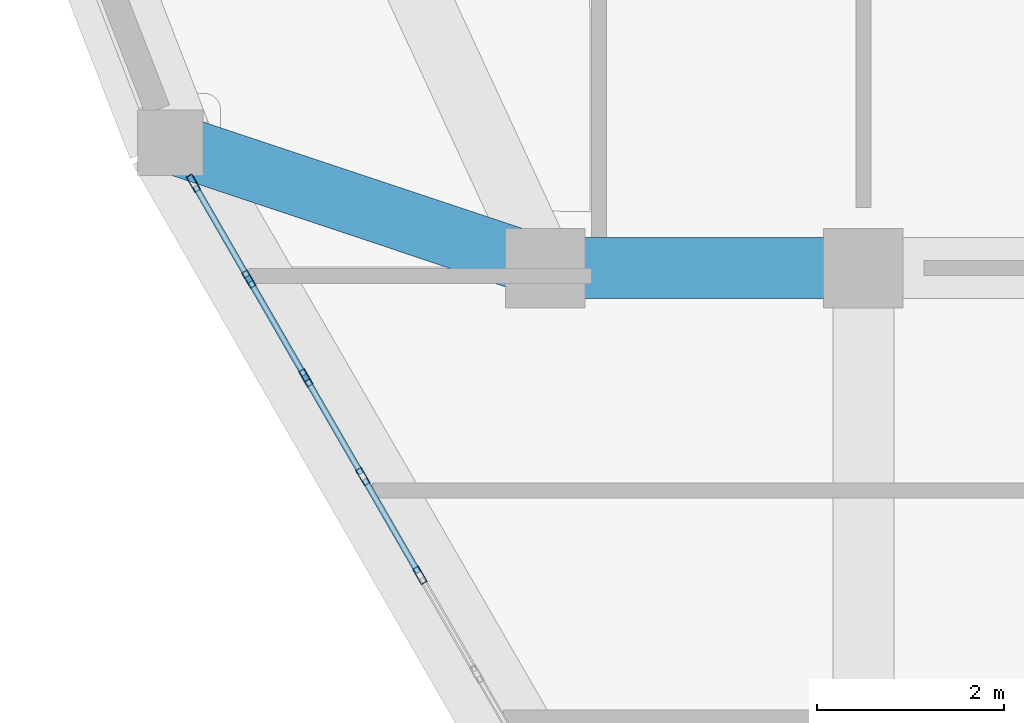
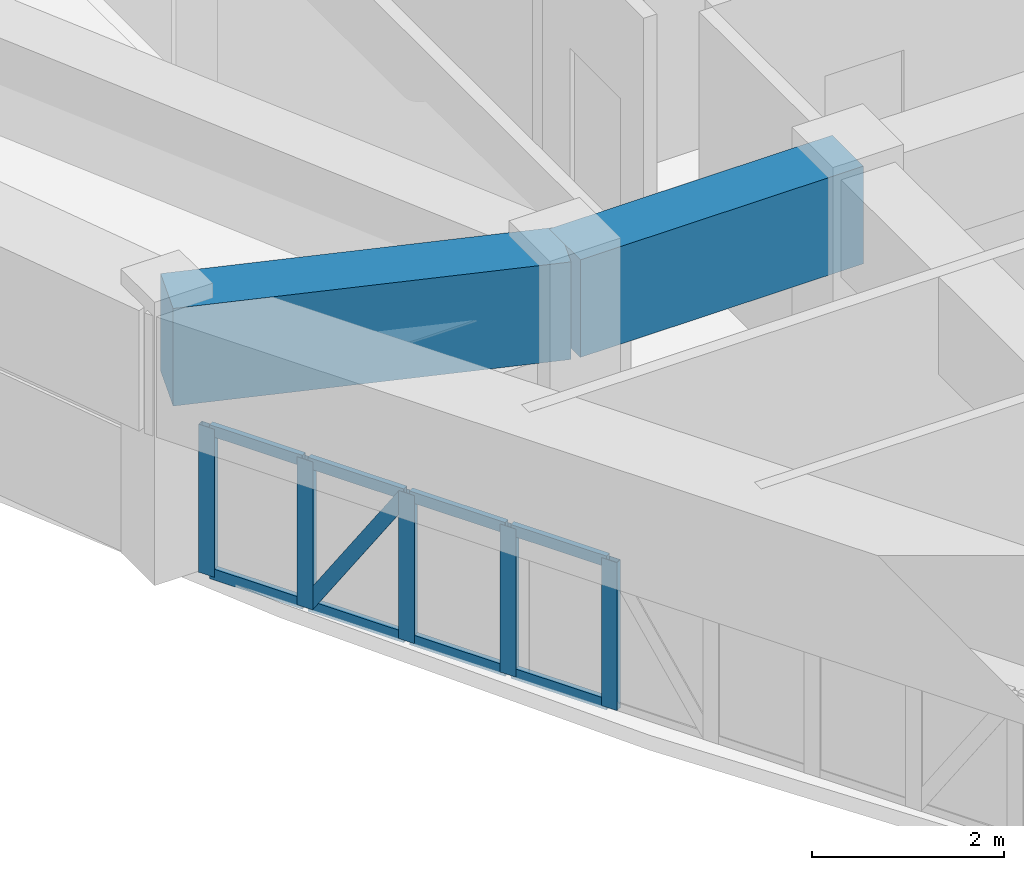
# One storey, part 5 of 14: 14 members, 2 beams, 1 element without a shape of its own.
"""IFC4 building model written with IfcOpenShell, lengths in metres."""

import ifcopenshell
import ifcopenshell.guid

model = None  # the IFC model being written
_history = None  # IfcOwnerHistory: only IFC2X3 demands one
_inside = {}  # id of a spatial element -> (the spatial element, [elements in it])
_under = {}  # id of a project, library or spatial element -> (it, [spatial elements below it])
_declared = {}  # id of a project -> (the project, [libraries it declares])
_typed = {}  # id of a type object -> (the type object, [elements of that type])
_made_of = {}  # id of a material, layer set ... -> (it, [elements and type objects made of it])


def new_model(schema):
    """Start an empty IFC model of exactly this schema.

    Asked for "IFC4X3", IfcOpenShell would pick the latest addendum, in which some entities
    have other attributes; the version numbers below select the first issue.
    IFC2X3 requires an IfcOwnerHistory on every rooted entity: one is made here for all.
    """
    global model, _history
    if schema == "IFC4X3":
        model = ifcopenshell.file(schema_version=(4, 3, 0, 0))
    else:
        model = ifcopenshell.file(schema=schema)
    _inside.clear()
    _under.clear()
    _declared.clear()
    _typed.clear()
    _made_of.clear()
    _history = None
    if model.schema == "IFC2X3":
        org = make("IfcOrganization", Name="unknown")
        user = make(
            "IfcPersonAndOrganization",
            ThePerson=make("IfcPerson", FamilyName="unknown"),
            TheOrganization=org,
        )
        app = make(
            "IfcApplication",
            ApplicationDeveloper=org,
            Version="unknown",
            ApplicationFullName="unknown",
            ApplicationIdentifier="unknown",
        )
        _history = make(
            "IfcOwnerHistory",
            OwningUser=user,
            OwningApplication=app,
            ChangeAction="ADDED",
            CreationDate=0,
        )
    return model


def make(cls, **values):
    """One entity of the class cls with the attributes given. An attribute that is None is left unset."""
    return model.create_entity(
        cls, **{name: value for name, value in values.items() if value is not None}
    )


def rooted(cls, **values):
    """An entity with a GlobalId (a new one), such as an element, a storey or a relation."""
    return make(cls, GlobalId=ifcopenshell.guid.new(), OwnerHistory=_history, **values)


def si_unit(unit_type, name, prefix=None):
    """IfcSIUnit, for example si_unit("LENGTHUNIT", "METRE", prefix="MILLI")."""
    return make("IfcSIUnit", UnitType=unit_type, Prefix=prefix, Name=name)


def derived_unit(unit_type, elements):
    """IfcDerivedUnit: a product of units, each with its exponent."""
    return make(
        "IfcDerivedUnit",
        Elements=[
            make("IfcDerivedUnitElement", Unit=unit, Exponent=power)
            for unit, power in elements
        ],
        UnitType=unit_type,
    )


def assignment(units):
    """IfcUnitAssignment: the units of a project."""
    return None if units is None else make("IfcUnitAssignment", Units=units)


def point(xyz):
    """IfcCartesianPoint."""
    return None if xyz is None else make("IfcCartesianPoint", Coordinates=xyz)


def direction(xyz):
    """IfcDirection."""
    return None if xyz is None else make("IfcDirection", DirectionRatios=xyz)


def frame(location, z_axis=None, x_axis=None):
    """IfcAxis2Placement3D, a coordinate frame: its origin and axes. An axis left out is left unset."""
    return make(
        "IfcAxis2Placement3D",
        Location=point(location),
        Axis=direction(z_axis),
        RefDirection=direction(x_axis),
    )


def frame_2d(location, x_axis=None):
    """IfcAxis2Placement2D, a coordinate frame in the plane: its origin and x axis."""
    return make(
        "IfcAxis2Placement2D", Location=point(location), RefDirection=direction(x_axis)
    )


def origin():
    """The frame at (0, 0, 0) with its axes left unset."""
    return frame((0.0, 0.0, 0.0))


def origin_2d():
    """The frame at (0, 0) in the plane with its x axis left unset."""
    return frame_2d((0.0, 0.0))


def place(relative_to, where):
    """IfcLocalPlacement: puts the frame where relative to a parent placement (None: the world)."""
    return make(
        "IfcLocalPlacement", PlacementRelTo=relative_to, RelativePlacement=where
    )


def context(
    kind, dimensions, precision=None, world=None, true_north=None, identifier=None
):
    """IfcGeometricRepresentationContext, for example the 3D "Model" context."""
    return make(
        "IfcGeometricRepresentationContext",
        ContextIdentifier=identifier,
        ContextType=kind,
        CoordinateSpaceDimension=dimensions,
        Precision=precision,
        WorldCoordinateSystem=world,
        TrueNorth=true_north,
    )


def subcontext(parent, identifier, kind, view, scale=None):
    """IfcGeometricRepresentationSubContext, for example "Body" below "Model"."""
    return make(
        "IfcGeometricRepresentationSubContext",
        ContextIdentifier=identifier,
        ContextType=kind,
        ParentContext=parent,
        TargetScale=scale,
        TargetView=view,
    )


def project(units=None, contexts=None):
    """IfcProject with its units and contexts."""
    return rooted(
        "IfcProject",
        Name="project",
        RepresentationContexts=contexts,
        UnitsInContext=assignment(units),
    )


def spatial(cls, under=None, at=None, **own):
    """A site, building, storey or space (cls), placed at a placement, below another one or the project."""
    s = rooted(cls, ObjectPlacement=at, **own)
    if under is not None:
        _under.setdefault(under.id(), (under, []))[1].append(s)
    return s


def profile(cls, at=None, kind="AREA", **sizes):
    """A parametric profile (cls). Its sizes go by their IFC names, for example OverallWidth=200.0."""
    return make(cls, ProfileType=kind, Position=at, **sizes)


def rectangle(**sizes):
    """IfcRectangleProfileDef."""
    return profile("IfcRectangleProfileDef", **sizes)


def hollow_rectangle(**sizes):
    """IfcRectangleHollowProfileDef."""
    return profile("IfcRectangleHollowProfileDef", **sizes)


def extrude(swept, where, along, depth):
    """IfcExtrudedAreaSolid: the profile swept, set in the frame where, extruded along a direction by depth."""
    return make(
        "IfcExtrudedAreaSolid",
        SweptArea=swept,
        Position=where,
        ExtrudedDirection=direction(along),
        Depth=depth,
    )


def shape(context_of_items, identifier, shape_type, items):
    """IfcShapeRepresentation: the items that make up one representation, for example the "Body"."""
    return make(
        "IfcShapeRepresentation",
        ContextOfItems=context_of_items,
        RepresentationIdentifier=identifier,
        RepresentationType=shape_type,
        Items=items,
    )


def source(mapping_origin, context_of_items, identifier, shape_type, items):
    """IfcRepresentationMap: a shape defined once, which mapped items show again and again."""
    return make(
        "IfcRepresentationMap",
        MappingOrigin=mapping_origin,
        MappedRepresentation=shape(context_of_items, identifier, shape_type, items),
    )


def transform(
    local_origin,
    x_axis=None,
    y_axis=None,
    z_axis=None,
    scale=None,
    scale2=None,
    scale3=None,
    uniform=True,
):
    """IfcCartesianTransformationOperator3D, or its non-uniform kind. x_axis, y_axis, z_axis: its Axis1, 2, 3."""
    if uniform:
        return make(
            "IfcCartesianTransformationOperator3D",
            Axis1=direction(x_axis),
            Axis2=direction(y_axis),
            LocalOrigin=point(local_origin),
            Scale=scale,
            Axis3=direction(z_axis),
        )
    return make(
        "IfcCartesianTransformationOperator3DnonUniform",
        Axis1=direction(x_axis),
        Axis2=direction(y_axis),
        LocalOrigin=point(local_origin),
        Scale=scale,
        Axis3=direction(z_axis),
        Scale2=scale2,
        Scale3=scale3,
    )


def mapped(mapping_source, mapping_target):
    """IfcMappedItem: shows the shape of a source again, moved by a transform."""
    return make(
        "IfcMappedItem", MappingSource=mapping_source, MappingTarget=mapping_target
    )


def material(Name=None, Category=None):
    """IfcMaterial."""
    return make("IfcMaterial", Name=Name, Category=Category)


def layer(
    of_material, thickness, ventilated=None, Name=None, Category=None, Priority=None
):
    """IfcMaterialLayer: one layer of a wall or slab, of a material (None: an air gap)."""
    return make(
        "IfcMaterialLayer",
        Material=of_material,
        LayerThickness=thickness,
        IsVentilated=ventilated,
        Name=Name,
        Category=Category,
        Priority=Priority,
    )


def layer_set(layers, Name=None):
    """IfcMaterialLayerSet."""
    return make("IfcMaterialLayerSet", MaterialLayers=layers, LayerSetName=Name)


def material_profile(
    of_material, cross_section, Name=None, Category=None, Priority=None
):
    """IfcMaterialProfile: a cross section and its material."""
    return make(
        "IfcMaterialProfile",
        Name=Name,
        Material=of_material,
        Profile=cross_section,
        Priority=Priority,
        Category=Category,
    )


def profile_set(profiles, Name=None, composite=None):
    """IfcMaterialProfileSet."""
    return make(
        "IfcMaterialProfileSet",
        Name=Name,
        MaterialProfiles=profiles,
        CompositeProfile=composite,
    )


def made_of(thing, what):
    """Note that an element or type object is made of a material, layer set ...; save() writes the relation."""
    if what is not None:
        _made_of.setdefault(what.id(), (what, []))[1].append(thing)
    return thing


def type_object(cls, material=None, **own):
    """A type object (cls), such as IfcWallType, which elements share."""
    return made_of(rooted(cls, **own), material)


def element(
    cls,
    number,
    at=None,
    inside=None,
    cuts=None,
    type_object=None,
    material=None,
    context=None,
    identifier="Body",
    shape_type=None,
    held_by="IfcProductDefinitionShape",
    body=None,
    shapes=None,
    **own,
):
    """One element of the class cls, such as IfcWall. Its Tag is "e" and its number.

    at: its placement. inside: the storey or other place that contains it. cuts: it is an
    opening in that element (IfcRelVoidsElement). A single representation is given by context,
    identifier, shape_type and body (its items); several are given by shapes. held_by: the class
    of the entity that holds the representations. save() writes the other relations.
    """
    e = rooted(cls, Tag="e%d" % number, ObjectPlacement=at, **own)
    if body is not None:
        shapes = [shape(context, identifier, shape_type, body)]
    if shapes is not None:
        e.Representation = make(held_by, Representations=shapes)
    if inside is not None:
        _inside.setdefault(inside.id(), (inside, []))[1].append(e)
    if cuts is not None:
        rooted(
            "IfcRelVoidsElement", RelatingBuildingElement=cuts, RelatedOpeningElement=e
        )
    if type_object is not None:
        _typed.setdefault(type_object.id(), (type_object, []))[1].append(e)
    return made_of(e, material)


def aggregate(whole, parts):
    """IfcRelAggregates: a whole, such as a stair, and the parts it consists of."""
    return rooted("IfcRelAggregates", RelatingObject=whole, RelatedObjects=parts)


def save(model, path):
    """Write the relations noted so far, then the file.

    IfcRelAggregates (storeys below a building ...), IfcRelContainedInSpatialStructure (elements
    in a storey), IfcRelDefinesByType, IfcRelAssociatesMaterial and IfcRelDeclares: one each for
    every whole, place, type object, material and project.
    """
    for whole, parts in _under.values():
        aggregate(whole, parts)
    for where, things in _inside.values():
        rooted(
            "IfcRelContainedInSpatialStructure",
            RelatedElements=things,
            RelatingStructure=where,
        )
    for kind, things in _typed.values():
        rooted("IfcRelDefinesByType", RelatedObjects=things, RelatingType=kind)
    for what, things in _made_of.values():
        rooted("IfcRelAssociatesMaterial", RelatedObjects=things, RelatingMaterial=what)
    for by, libraries in _declared.values():
        rooted("IfcRelDeclares", RelatingContext=by, RelatedDefinitions=libraries)
    model.write(path)


model = new_model("IFC4")

# Units and contexts
model_context = context("Model", 3, precision=1e-05, world=origin(), true_north=direction((0.0, 1.0)))
body_context = subcontext(model_context, "Body", "Model", "MODEL_VIEW")
ifc_project = project(units=[si_unit("LENGTHUNIT", "METRE"), si_unit("AREAUNIT", "SQUARE_METRE"), si_unit("VOLUMEUNIT", "CUBIC_METRE"), si_unit("PLANEANGLEUNIT", "RADIAN"), si_unit("MASSUNIT", "GRAM", prefix="KILO"), derived_unit("THERMALTRANSMITTANCEUNIT", [(si_unit("POWERUNIT", "WATT"), 1), (si_unit("LENGTHUNIT", "METRE"), -2), (si_unit("THERMODYNAMICTEMPERATUREUNIT", "KELVIN"), -1)])], contexts=[model_context])

# Site, building, storey
site_placement = place(None, origin())
site = spatial("IfcSite", under=ifc_project, at=site_placement, CompositionType="ELEMENT")
building_placement = place(site_placement, origin())
building = spatial("IfcBuilding", under=site, at=building_placement, Name="Korsvarv Bourse and Concert Hall", CompositionType="ELEMENT")
storey_placement = place(building_placement, frame((0.0, 0.0, 257.39990234375)))
storey = spatial("IfcBuildingStorey", under=building, at=storey_placement, Name="L67", CompositionType="ELEMENT", Elevation=257.39990234375)

# Beams
ifc_material_1 = material(Name="Concrete C50/60", Category="concrete")
ifc_material_profile_1 = material_profile(ifc_material_1, rectangle(XDim=0.64990234375, YDim=1.239990234375, at=origin_2d()), Name="RC-BM 650x1240")
ifc_profile_set_1 = profile_set([ifc_material_profile_1], Name="Concrete C50/60")
beam_type = type_object("IfcBeamType", Name="BM-TR-SPN", PredefinedType="BEAM", material=ifc_profile_set_1)
shared_shape_1 = source(origin(), body_context, "Body", "SweptSolid", [
    extrude(rectangle(XDim=0.64990234375, YDim=1.239990234375, at=origin_2d()), origin(), (0.0, 0.0, 1.0), 3.400146484375),
])
beam_1_placement = place(storey_placement, frame((24.199951171875, 32.39990234375, 2.7900390625), z_axis=(1.0, 0.0, 0.0), x_axis=(0.0, 1.0, 0.0)))
element("IfcBeam", 1, at=beam_1_placement, inside=storey, type_object=beam_type, Name="L67 beam B-TRS", PredefinedType="BEAM", context=body_context, shape_type="MappedRepresentation", body=[
    mapped(shared_shape_1, transform((0.0, 0.0, 0.0), scale=1.0)),
])
shared_shape_2 = source(origin(), body_context, "Body", "SweptSolid", [
    extrude(rectangle(XDim=0.64990234375, YDim=1.239990234375, at=origin_2d()), origin(), (0.0, 0.0, 1.0), 4.22705078125),
])
beam_2_placement = place(storey_placement, frame((20.190185546875, 33.73779296875, 2.7900390625), z_axis=(0.948590847329, -0.316504983157, 0.0), x_axis=(0.316504983157, 0.948590847329, 0.0)))
element("IfcBeam", 2, at=beam_2_placement, inside=storey, type_object=beam_type, Name="L67 beam B-TRS", PredefinedType="BEAM", context=body_context, shape_type="MappedRepresentation", body=[
    mapped(shared_shape_2, transform((0.0, 0.0, 0.0), scale=1.0)),
])

# Curtain wall, members
ifc_material_2 = material(Name="Anodised aluminium and triple low-E glazing", Category="glass")
ifc_layer = layer(ifc_material_2, 0.199951171875)
ifc_layer_set = layer_set([ifc_layer], Name="Anodised aluminium and triple low-E glazing")
curtain_wall_type = type_object("IfcCurtainWallType", Name="CW-SYS-3", PredefinedType="NOTDEFINED", material=ifc_layer_set)
curtain_wall_placement = place(storey_placement, origin())
curtain_wall = element("IfcCurtainWall", 3, at=curtain_wall_placement, inside=storey, type_object=curtain_wall_type, Name="L67 CW3 curtain wall CW-L67-F07", PredefinedType="NOTDEFINED")
ifc_material_3 = material(Name="Extruded aluminium EN AW-6063 T66", Category="aluminium")
ifc_material_profile_2 = material_profile(ifc_material_3, hollow_rectangle(XDim=0.06494140625, YDim=0.139892578125, WallThickness=0.00390625, at=origin_2d()), Name="ALU-T 65x140")
ifc_profile_set_2 = profile_set([ifc_material_profile_2], Name="Extruded aluminium EN AW-6063 T66")
member_type_1 = type_object("IfcMemberType", Name="CWT-140", PredefinedType="USERDEFINED", material=ifc_profile_set_2)
shared_shape_3 = source(origin(), body_context, "Body", "SweptSolid", [
    extrude(hollow_rectangle(XDim=0.06494140625, YDim=0.139892578125, WallThickness=0.00390625, at=origin_2d()), origin(), (0.0, 0.0, 1.0), 1.113525390625),
])
member_1_placement = place(storey_placement, frame((20.456298828125, 33.277099609375, 0.03271484375), z_axis=(0.499912255713, -0.866076057046, 0.0), x_axis=(0.866076057046, 0.499912255713, 0.0)))
member_1 = element("IfcMember", 4, at=member_1_placement, type_object=member_type_1, Name="CW3 transom 1.1", ObjectType="TRANSOM", PredefinedType="USERDEFINED", context=body_context, shape_type="MappedRepresentation", body=[
    mapped(shared_shape_3, transform((0.0, 0.0, 0.0), scale=1.0)),
])
member_2_placement = place(storey_placement, frame((20.456298828125, 33.277099609375, 1.84765625), z_axis=(0.499912255713, -0.866076057046, 0.0), x_axis=(0.866076057046, 0.499912255713, 0.0)))
member_2 = element("IfcMember", 5, at=member_2_placement, type_object=member_type_1, Name="CW3 transom 1.2", ObjectType="TRANSOM", PredefinedType="USERDEFINED", context=body_context, shape_type="MappedRepresentation", body=[
    mapped(shared_shape_3, transform((0.0, 0.0, 0.0), scale=1.0)),
])
shared_shape_4 = source(origin(), body_context, "Body", "SweptSolid", [
    extrude(hollow_rectangle(XDim=0.06494140625, YDim=0.139892578125, WallThickness=0.00390625, at=origin_2d()), origin(), (0.0, 0.0, 1.0), 1.148681640625),
])
member_3_placement = place(storey_placement, frame((21.048095703125, 32.252197265625, 0.03271484375), z_axis=(0.49988803956, -0.866090034526, 0.0), x_axis=(0.866090034526, 0.49988803956, 0.0)))
member_3 = element("IfcMember", 6, at=member_3_placement, type_object=member_type_1, Name="CW3 transom 2.1", ObjectType="TRANSOM", PredefinedType="USERDEFINED", context=body_context, shape_type="MappedRepresentation", body=[
    mapped(shared_shape_4, transform((0.0, 0.0, 0.0), scale=1.0)),
])
member_4_placement = place(storey_placement, frame((21.048095703125, 32.252197265625, 1.84765625), z_axis=(0.49988803956, -0.866090034526, 0.0), x_axis=(0.866090034526, 0.49988803956, 0.0)))
member_4 = element("IfcMember", 7, at=member_4_placement, type_object=member_type_1, Name="CW3 transom 2.2", ObjectType="TRANSOM", PredefinedType="USERDEFINED", context=body_context, shape_type="MappedRepresentation", body=[
    mapped(shared_shape_4, transform((0.0, 0.0, 0.0), scale=1.0)),
])
member_5_placement = place(storey_placement, frame((22.2666015625, 30.141357421875, 0.03271484375), z_axis=(0.500139482584, -0.865944858499, 0.0), x_axis=(0.865944858499, 0.500139482584, 0.0)))
member_5 = element("IfcMember", 8, at=member_5_placement, type_object=member_type_1, Name="CW3 transom 4.1", ObjectType="TRANSOM", PredefinedType="USERDEFINED", context=body_context, shape_type="MappedRepresentation", body=[
    mapped(shared_shape_4, transform((0.0, 0.0, 0.0), scale=1.0)),
])
member_6_placement = place(storey_placement, frame((22.2666015625, 30.141357421875, 1.84765625), z_axis=(0.500139482584, -0.865944858499, 0.0), x_axis=(0.865944858499, 0.500139482584, 0.0)))
member_6 = element("IfcMember", 9, at=member_6_placement, type_object=member_type_1, Name="CW3 transom 4.2", ObjectType="TRANSOM", PredefinedType="USERDEFINED", context=body_context, shape_type="MappedRepresentation", body=[
    mapped(shared_shape_4, transform((0.0, 0.0, 0.0), scale=1.0)),
])
ifc_material_profile_3 = material_profile(ifc_material_3, hollow_rectangle(XDim=0.070068359375, YDim=0.18994140625, WallThickness=0.0048828125, at=origin_2d()), Name="ALU-M 70x190")
ifc_profile_set_3 = profile_set([ifc_material_profile_3], Name="Extruded aluminium EN AW-6063 T66")
member_type_2 = type_object("IfcMemberType", Name="CWM-190", PredefinedType="MULLION", material=ifc_profile_set_3)
shared_shape_5 = source(origin(), body_context, "Body", "SweptSolid", [
    extrude(hollow_rectangle(XDim=0.070068359375, YDim=0.18994140625, WallThickness=0.0048828125, at=origin_2d()), origin(), (0.0, 0.0, 1.0), 1.880126953125),
])
member_7_placement = place(storey_placement, frame((20.438720703125, 33.307373046875, 0.0), z_axis=(0.0, 0.0, 1.0), x_axis=(0.866023274265, 0.500003688417, 0.0)))
member_7 = element("IfcMember", 10, at=member_7_placement, type_object=member_type_2, Name="CW3 mullion 1", PredefinedType="MULLION", context=body_context, shape_type="MappedRepresentation", body=[
    mapped(shared_shape_5, transform((0.0, 0.0, 0.0), scale=1.0)),
])
member_8_placement = place(storey_placement, frame((21.030517578125, 32.282470703125, 0.0), z_axis=(0.0, 0.0, 1.0), x_axis=(0.866023274265, 0.500003688417, 0.0)))
member_8 = element("IfcMember", 11, at=member_8_placement, type_object=member_type_2, Name="CW3 mullion 2", PredefinedType="MULLION", context=body_context, shape_type="MappedRepresentation", body=[
    mapped(shared_shape_5, transform((0.0, 0.0, 0.0), scale=1.0)),
])
member_9_placement = place(storey_placement, frame((21.639892578125, 31.22705078125, 0.0), z_axis=(0.0, 0.0, 1.0), x_axis=(0.866023274265, 0.500003688417, 0.0)))
member_9 = element("IfcMember", 12, at=member_9_placement, type_object=member_type_2, Name="CW3 mullion 3", PredefinedType="MULLION", context=body_context, shape_type="MappedRepresentation", body=[
    mapped(shared_shape_5, transform((0.0, 0.0, 0.0), scale=1.0)),
])
member_10_placement = place(storey_placement, frame((22.249267578125, 30.171630859375, 0.0), z_axis=(0.0, 0.0, 1.0), x_axis=(0.866023274265, 0.500003688417, 0.0)))
member_10 = element("IfcMember", 13, at=member_10_placement, type_object=member_type_2, Name="CW3 mullion 4", PredefinedType="MULLION", context=body_context, shape_type="MappedRepresentation", body=[
    mapped(shared_shape_5, transform((0.0, 0.0, 0.0), scale=1.0)),
])
member_11_placement = place(storey_placement, frame((22.8583984375, 29.116455078125, 0.0), z_axis=(0.0, 0.0, 1.0), x_axis=(0.866023274265, 0.500003688417, 0.0)))
member_11 = element("IfcMember", 14, at=member_11_placement, type_object=member_type_2, Name="CW3 mullion 5", PredefinedType="MULLION", context=body_context, shape_type="MappedRepresentation", body=[
    mapped(shared_shape_5, transform((0.0, 0.0, 0.0), scale=1.0)),
])
ifc_material_profile_4 = material_profile(ifc_material_3, hollow_rectangle(XDim=0.06494140625, YDim=0.1650390625, WallThickness=0.0048828125, at=origin_2d()), Name="ALU-M 65x165")
ifc_profile_set_4 = profile_set([ifc_material_profile_4], Name="Extruded aluminium EN AW-6063 T66")
member_type_3 = type_object("IfcMemberType", Name="CWM-165", PredefinedType="MULLION", material=ifc_profile_set_4)
shared_shape_6 = source(origin(), body_context, "Body", "SweptSolid", [
    extrude(hollow_rectangle(XDim=0.06494140625, YDim=0.1650390625, WallThickness=0.0048828125, at=origin_2d()), origin(), (0.0, 0.0, 1.0), 2.09326171875),
])
member_12_placement = place(storey_placement, frame((21.048095703125, 32.252197265625, 0.065185546875), z_axis=(0.274309725161, -0.475260259367, 0.835991543348), x_axis=(0.866090034526, 0.49988803956, 0.0)))
member_12 = element("IfcMember", 15, at=member_12_placement, type_object=member_type_3, Name="CW3 diagonal mullion 2", PredefinedType="MULLION", context=body_context, shape_type="MappedRepresentation", body=[
    mapped(shared_shape_6, transform((0.0, 0.0, 0.0), scale=1.0)),
])
shared_shape_7 = source(origin(), body_context, "Body", "SweptSolid", [
    extrude(hollow_rectangle(XDim=0.06494140625, YDim=0.139892578125, WallThickness=0.00390625, at=origin_2d()), origin(), (0.0, 0.0, 1.0), 1.14892578125),
])
member_13_placement = place(storey_placement, frame((21.6572265625, 31.19677734375, 0.03271484375), z_axis=(0.50004744102, -0.865998011966, 0.0), x_axis=(0.865998011966, 0.50004744102, 0.0)))
member_13 = element("IfcMember", 16, at=member_13_placement, type_object=member_type_1, Name="CW3 transom 3.1", ObjectType="TRANSOM", PredefinedType="USERDEFINED", context=body_context, shape_type="MappedRepresentation", body=[
    mapped(shared_shape_7, transform((0.0, 0.0, 0.0), scale=1.0)),
])
member_14_placement = place(storey_placement, frame((21.6572265625, 31.19677734375, 1.84765625), z_axis=(0.50004744102, -0.865998011966, 0.0), x_axis=(0.865998011966, 0.50004744102, 0.0)))
member_14 = element("IfcMember", 17, at=member_14_placement, type_object=member_type_1, Name="CW3 transom 3.2", ObjectType="TRANSOM", PredefinedType="USERDEFINED", context=body_context, shape_type="MappedRepresentation", body=[
    mapped(shared_shape_7, transform((0.0, 0.0, 0.0), scale=1.0)),
])
aggregate(curtain_wall, [member_7, member_8, member_9, member_10, member_11, member_1, member_2, member_3, member_4, member_12, member_13, member_14, member_5, member_6])

save(model, "model.ifc")
